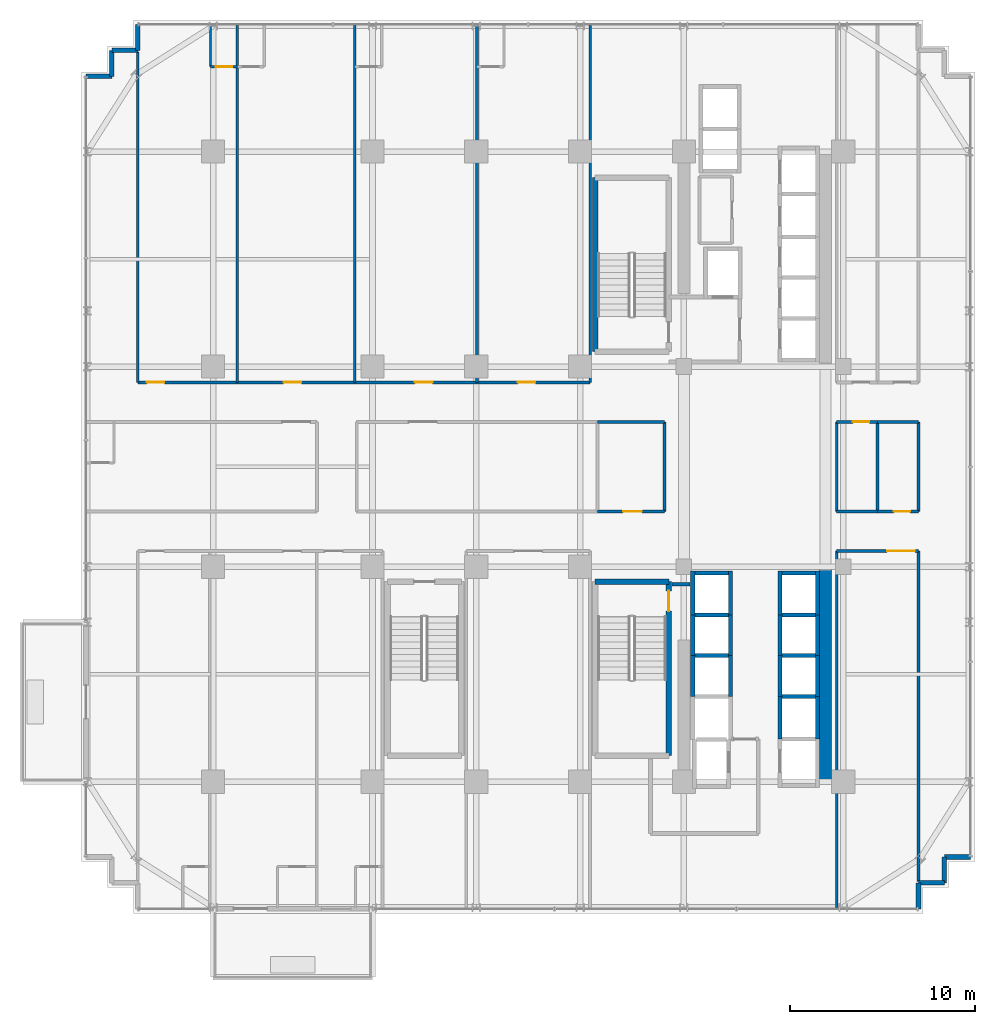
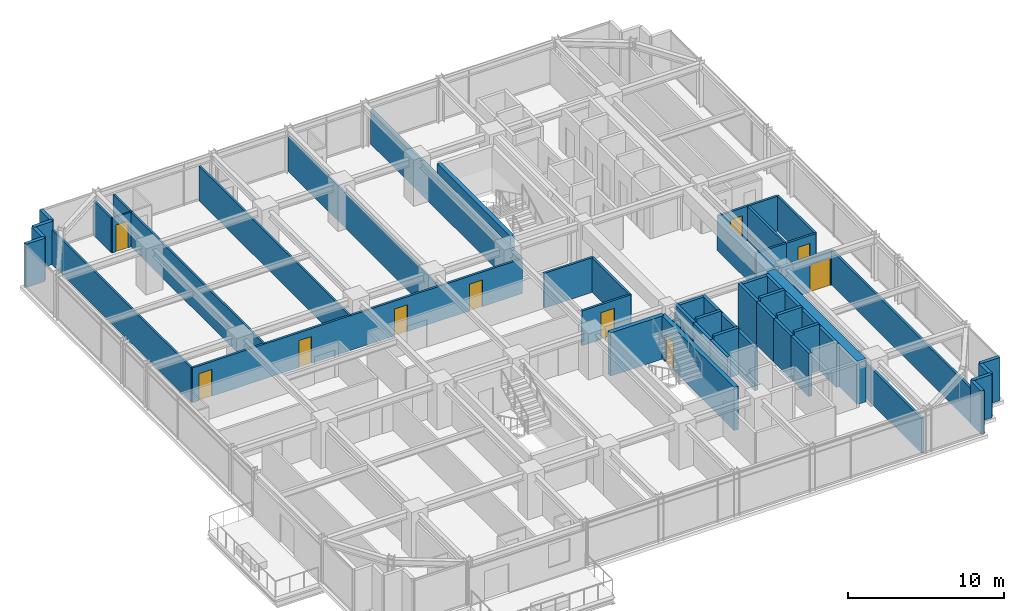
# One storey, part 27 of 32: 55 walls, 10 doors, 10 openings.
"""IFC4 building model written with IfcOpenShell, lengths in metres."""

from ifc_helpers import new_model, si_unit, direction, frame, frame_2d, origin, place, context, subcontext, project, spatial, rectangle, extrude, source, transform, mapped, material, layer, layer_set, type_object, element, fill, save


model = new_model("IFC4")

# Units and contexts
model_context = context("Model", 3, precision=1e-05, world=origin(), true_north=direction((0.0, 1.0)))
body_context = subcontext(model_context, "Body", "Model", "MODEL_VIEW")
ifc_project = project(units=[si_unit("LENGTHUNIT", "METRE"), si_unit("AREAUNIT", "SQUARE_METRE"), si_unit("VOLUMEUNIT", "CUBIC_METRE"), si_unit("PLANEANGLEUNIT", "RADIAN"), si_unit("MASSUNIT", "GRAM", prefix="KILO")], contexts=[model_context])

# Site, building, storey
site_placement = place(None, origin())
site = spatial("IfcSite", under=ifc_project, at=site_placement, CompositionType="ELEMENT")
building_placement = place(site_placement, origin())
building = spatial("IfcBuilding", under=site, at=building_placement, Name="Nahalor Promenade Grand Hotel", CompositionType="ELEMENT")
storey_placement = place(building_placement, frame((0.0, 0.0, 124.800048828125)))
storey = spatial("IfcBuildingStorey", under=building, at=storey_placement, Name="L31", CompositionType="ELEMENT", Elevation=124.800048828125)

# Walls
ifc_material_1 = material(Name="Concrete B-60 (C50/60)", Category="concrete")
ifc_layer_1 = layer(ifc_material_1, 0.64990234375)
ifc_layer_set_1 = layer_set([ifc_layer_1], Name="Concrete B-60 (C50/60)")
wall_type_1 = type_object("IfcWallType", Name="Wall-CoreShear-650", PredefinedType="SHEAR", material=ifc_layer_set_1)
shared_shape_1 = source(origin(), body_context, "Body", "SweptSolid", [
    extrude(rectangle(XDim=11.60009765625, YDim=0.64990234375, at=frame_2d((5.800048828125, 0.0))), origin(), (0.0, 0.0, 1.0), 3.3798828125),
])
wall_1_placement = place(storey_placement, frame((16.050048828125, -17.0, 0.0), z_axis=(0.0, 0.0, 1.0), x_axis=(0.0, 1.0, 0.0)))
element("IfcWall", 1, at=wall_1_placement, inside=storey, type_object=wall_type_1, Name="CWALL-L31-SE", PredefinedType="SHEAR", context=body_context, shape_type="MappedRepresentation", body=[
    mapped(shared_shape_1, transform((0.0, 0.0, 0.0), scale=1.0)),
])
ifc_material_2 = material(Name="Concrete B-50 (C40/50)", Category="concrete")
ifc_layer_2 = layer(ifc_material_2, 0.300048828125)
ifc_layer_set_2 = layer_set([ifc_layer_2], Name="Concrete B-50 (C40/50)")
wall_type_2 = type_object("IfcWallType", Name="Wall-ShaftShear-300", PredefinedType="SHEAR", material=ifc_layer_set_2)
shared_shape_2 = source(origin(), body_context, "Body", "SweptSolid", [
    extrude(rectangle(XDim=3.97998046875, YDim=0.300048828125, at=frame_2d((1.989990234375, 0.0))), origin(), (0.0, 0.0, 1.0), 3.3798828125),
])
wall_2_placement = place(storey_placement, frame((3.610107421875, -6.2099609375, 0.0), z_axis=(0.0, 0.0, 1.0), x_axis=(1.0, 0.0, 0.0)))
element("IfcWall", 2, at=wall_2_placement, inside=storey, type_object=wall_type_2, Name="L31 Exit Stair ST2 Shaft Wall N", PredefinedType="SHEAR", context=body_context, shape_type="MappedRepresentation", body=[
    mapped(shared_shape_2, transform((0.0, 0.0, 0.0), scale=1.0)),
])
shared_shape_3 = source(origin(), body_context, "Body", "SweptSolid", [
    extrude(rectangle(XDim=9.380126953125, YDim=0.300048828125, at=frame_2d((4.68994140625, 0.0))), origin(), (0.0, 0.0, 1.0), 3.3798828125),
])
wall_3_placement = place(storey_placement, frame((3.610107421875, 6.2099609375, 0.0), z_axis=(0.0, 0.0, 1.0), x_axis=(0.0, 1.0, 0.0)))
element("IfcWall", 3, at=wall_3_placement, inside=storey, type_object=wall_type_2, Name="L31 Exit Stair ST1 Shaft Wall W", PredefinedType="SHEAR", context=body_context, shape_type="MappedRepresentation", body=[
    mapped(shared_shape_3, transform((0.0, 0.0, 0.0), scale=1.0)),
])

# Wall, opening, door
wall_4_placement = place(storey_placement, frame((7.590087890625, -15.590087890625, 0.0), z_axis=(0.0, 0.0, 1.0), x_axis=(0.0, 1.0, 0.0)))
wall_4 = element("IfcWall", 4, at=wall_4_placement, inside=storey, type_object=wall_type_2, Name="L31 Exit Stair ST2 Shaft Wall E", PredefinedType="SHEAR", context=body_context, shape_type="MappedRepresentation", body=[
    mapped(shared_shape_3, transform((0.0, 0.0, 0.0), scale=1.0)),
])
opening_1_placement = place(wall_4_placement, frame((7.7900390625, 0.0, 0.0)))
opening_1 = element("IfcOpeningElement", 5, at=opening_1_placement, cuts=wall_4, Name="Opening D-ST1", PredefinedType="OPENING", context=body_context, shape_type="SweptSolid", body=[
    extrude(rectangle(XDim=1.10009765625, YDim=2.14990234375, at=frame_2d((0.550048828125, 1.074951171875))), frame((0.0, 0.159912109375, 0.0), z_axis=(0.0, -1.0, 0.0), x_axis=(1.0, 0.0, 0.0)), (0.0, 0.0, 1.0), 0.320068359375),
])
ifc_material_3 = material(Name="Steel S355JR", Category="steel")
door_type_1 = type_object("IfcDoorType", Name="Door-StairFire-1100", OperationType="NOTDEFINED", PredefinedType="DOOR", material=ifc_material_3)
shared_shape_4 = source(origin(), body_context, "Body", "SweptSolid", [
    extrude(rectangle(XDim=1.10009765625, YDim=2.14990234375, at=frame_2d((0.550048828125, 1.074951171875))), frame((0.0, 0.02490234375, 0.0), z_axis=(0.0, -1.0, 0.0), x_axis=(1.0, 0.0, 0.0)), (0.0, 0.0, 1.0), 0.050048828125),
])
door_1_placement = place(opening_1_placement, origin())
door_1 = element("IfcDoor", 6, at=door_1_placement, inside=storey, type_object=door_type_1, Name="DR-STAIR-ST2-L31", OperationType="SINGLE_SWING_RIGHT", OverallHeight=2.14990234375, OverallWidth=1.10009765625, PredefinedType="DOOR", context=body_context, shape_type="MappedRepresentation", body=[
    mapped(shared_shape_4, transform((0.0, 0.0, 0.0), scale=1.0)),
])
fill(opening_1, door_1)

# Walls
ifc_layer_3 = layer(ifc_material_2, 0.219970703125)
ifc_layer_set_3 = layer_set([ifc_layer_3], Name="Concrete B-50 (C40/50)")
wall_type_3 = type_object("IfcWallType", Name="Wall-LiftShaft-220", PredefinedType="SHEAR", material=ifc_layer_set_3)
shared_shape_5 = source(origin(), body_context, "Body", "SweptSolid", [
    extrude(rectangle(XDim=1.820068359375, YDim=0.219970703125, at=frame_2d((0.91015625, 0.0))), origin(), (0.0, 0.0, 1.0), 3.64990234375),
])
for number, where, z_axis, x_axis, name in (
    (7, (13.68994140625, -8.0, 0.0), (0.0, 0.0, 1.0), (1.0, 0.0, 0.0), "L31 Lift PL6 Hoistway Wall N"),
    (8, (13.68994140625, -10.199951171875, 0.0), (0.0, 0.0, 1.0), (1.0, 0.0, 0.0), "L31 Lift PL7 Hoistway Wall N"),
    (9, (13.68994140625, -12.39990234375, 0.0), (0.0, 0.0, 1.0), (1.0, 0.0, 0.0), "L31 Lift PL8 Hoistway Wall N"),
    (10, (8.989990234375, -8.0, 0.0), (0.0, 0.0, 1.0), (1.0, 0.0, 0.0), "L31 Lift PL10 Hoistway Wall N"),
    (11, (8.989990234375, -10.199951171875, 0.0), (0.0, 0.0, 1.0), (1.0, 0.0, 0.0), "L31 Lift PL11 Hoistway Wall N"),
):
    element("IfcWall", number, at=place(storey_placement, frame(where, z_axis=z_axis, x_axis=x_axis)), inside=storey, type_object=wall_type_3, Name=name, PredefinedType="SHEAR", context=body_context, shape_type="MappedRepresentation", body=[
        mapped(shared_shape_5, transform((0.0, 0.0, 0.0), scale=1.0)),
    ])
shared_shape_6 = source(origin(), body_context, "Body", "SweptSolid", [
    extrude(rectangle(XDim=2.360107421875, YDim=0.219970703125, at=frame_2d((1.18017578125, 0.0))), origin(), (0.0, 0.0, 1.0), 3.3798828125),
])
for number, where, z_axis, x_axis, name in (
    (12, (13.580078125, -8.0, 0.0), (0.0, 0.0, 1.0), (0.0, 1.0, 0.0), "L31 Lift PL5 Hoistway Wall W"),
    (13, (15.6201171875, -8.0, 0.0), (0.0, 0.0, 1.0), (0.0, 1.0, 0.0), "L31 Lift PL5 Hoistway Wall E"),
    (14, (8.8798828125, -8.0, 0.0), (0.0, 0.0, 1.0), (0.0, 1.0, 0.0), "L31 Lift PL9 Hoistway Wall W"),
    (15, (10.919921875, -8.0, 0.0), (0.0, 0.0, 1.0), (0.0, 1.0, 0.0), "L31 Lift PL9 Hoistway Wall E"),
):
    element("IfcWall", number, at=place(storey_placement, frame(where, z_axis=z_axis, x_axis=x_axis)), inside=storey, type_object=wall_type_3, Name=name, PredefinedType="SHEAR", context=body_context, shape_type="MappedRepresentation", body=[
        mapped(shared_shape_6, transform((0.0, 0.0, 0.0), scale=1.0)),
    ])
shared_shape_7 = source(origin(), body_context, "Body", "SweptSolid", [
    extrude(rectangle(XDim=1.820068359375, YDim=0.219970703125, at=frame_2d((0.91015625, 0.0))), origin(), (0.0, 0.0, 1.0), 3.3798828125),
])
for number, where, z_axis, x_axis, name in (
    (16, (13.68994140625, -5.75, 0.0), (0.0, 0.0, 1.0), (1.0, 0.0, 0.0), "L31 Lift PL5 Hoistway Wall N"),
    (17, (8.989990234375, -5.75, 0.0), (0.0, 0.0, 1.0), (1.0, 0.0, 0.0), "L31 Lift PL9 Hoistway Wall N"),
):
    element("IfcWall", number, at=place(storey_placement, frame(where, z_axis=z_axis, x_axis=x_axis)), inside=storey, type_object=wall_type_3, Name=name, PredefinedType="SHEAR", context=body_context, shape_type="MappedRepresentation", body=[
        mapped(shared_shape_7, transform((0.0, 0.0, 0.0), scale=1.0)),
    ])
shared_shape_8 = source(origin(), body_context, "Body", "SweptSolid", [
    extrude(rectangle(XDim=2.199951171875, YDim=0.219970703125, at=frame_2d((1.10009765625, 0.0))), origin(), (0.0, 0.0, 1.0), 3.3798828125),
])
for number, where, z_axis, x_axis, name in (
    (18, (13.580078125, -10.199951171875, 0.0), (0.0, 0.0, 1.0), (0.0, 1.0, 0.0), "L31 Lift PL6 Hoistway Wall W"),
    (19, (15.6201171875, -10.199951171875, 0.0), (0.0, 0.0, 1.0), (0.0, 1.0, 0.0), "L31 Lift PL6 Hoistway Wall E"),
    (20, (13.580078125, -12.39990234375, 0.0), (0.0, 0.0, 1.0), (0.0, 1.0, 0.0), "L31 Lift PL7 Hoistway Wall W"),
    (21, (15.6201171875, -12.39990234375, 0.0), (0.0, 0.0, 1.0), (0.0, 1.0, 0.0), "L31 Lift PL7 Hoistway Wall E"),
    (22, (8.8798828125, -10.199951171875, 0.0), (0.0, 0.0, 1.0), (0.0, 1.0, 0.0), "L31 Lift PL10 Hoistway Wall W"),
    (23, (10.919921875, -10.199951171875, 0.0), (0.0, 0.0, 1.0), (0.0, 1.0, 0.0), "L31 Lift PL10 Hoistway Wall E"),
    (24, (8.8798828125, -12.39990234375, 0.0), (0.0, 0.0, 1.0), (0.0, 1.0, 0.0), "L31 Lift PL11 Hoistway Wall W"),
    (25, (10.919921875, -12.39990234375, 0.0), (0.0, 0.0, 1.0), (0.0, 1.0, 0.0), "L31 Lift PL11 Hoistway Wall E"),
):
    element("IfcWall", number, at=place(storey_placement, frame(where, z_axis=z_axis, x_axis=x_axis)), inside=storey, type_object=wall_type_3, Name=name, PredefinedType="SHEAR", context=body_context, shape_type="MappedRepresentation", body=[
        mapped(shared_shape_8, transform((0.0, 0.0, 0.0), scale=1.0)),
    ])
shared_shape_9 = source(origin(), body_context, "Body", "SweptSolid", [
    extrude(rectangle(XDim=2.300048828125, YDim=0.219970703125, at=frame_2d((1.14990234375, 0.0))), origin(), (0.0, 0.0, 1.0), 3.3798828125),
])
for number, where, z_axis, x_axis, name in (
    (26, (13.580078125, -14.699951171875, 0.0), (0.0, 0.0, 1.0), (0.0, 1.0, 0.0), "L31 Lift PL8 Hoistway Wall W"),
    (27, (15.6201171875, -14.699951171875, 0.0), (0.0, 0.0, 1.0), (0.0, 1.0, 0.0), "L31 Lift PL8 Hoistway Wall E"),
):
    element("IfcWall", number, at=place(storey_placement, frame(where, z_axis=z_axis, x_axis=x_axis)), inside=storey, type_object=wall_type_3, Name=name, PredefinedType="SHEAR", context=body_context, shape_type="MappedRepresentation", body=[
        mapped(shared_shape_9, transform((0.0, 0.0, 0.0), scale=1.0)),
    ])
ifc_material_4 = material(Name="Concrete B-40 (C32/40)", Category="concrete")
ifc_layer_4 = layer(ifc_material_4, 0.25)
ifc_layer_set_4 = layer_set([ifc_layer_4], Name="Concrete B-40 (C32/40)")
wall_type_4 = type_object("IfcWallType", Name="Wall-BronzePier-250", PredefinedType="STANDARD", material=ifc_layer_set_4)
shared_shape_10 = source(origin(), body_context, "Body", "SweptSolid", [
    extrude(rectangle(XDim=1.400146484375, YDim=0.25, at=frame_2d((0.7001953125, 0.0))), origin(), (0.0, 0.0, 1.0), 3.3798828125),
])
for number, where, z_axis, x_axis, name in (
    (28, (21.06005859375, -23.860107421875, 0.0), (0.0, 0.0, 1.0), (0.0, 1.0, 0.0), "W-L31-SR-01"),
    (29, (22.4599609375, -21.06005859375, 0.0), (0.0, 0.0, 1.0), (1.0, 0.0, 0.0), "W-L31-SR-04"),
    (30, (-21.06005859375, 22.4599609375, 0.0), (0.0, 0.0, 1.0), (0.0, 1.0, 0.0), "W-L31-SR-09"),
    (31, (-23.860107421875, 21.06005859375, 0.0), (0.0, 0.0, 1.0), (1.0, 0.0, 0.0), "W-L31-SR-12"),
):
    element("IfcWall", number, at=place(storey_placement, frame(where, z_axis=z_axis, x_axis=x_axis)), inside=storey, type_object=wall_type_4, Name=name, PredefinedType="STANDARD", context=body_context, shape_type="MappedRepresentation", body=[
        mapped(shared_shape_10, transform((0.0, 0.0, 0.0), scale=1.0)),
    ])
shared_shape_11 = source(origin(), body_context, "Body", "SweptSolid", [
    extrude(rectangle(XDim=1.39990234375, YDim=0.25, at=frame_2d((0.699951171875, 0.0))), origin(), (0.0, 0.0, 1.0), 3.3798828125),
])
for number, where, z_axis, x_axis, name in (
    (32, (21.06005859375, -22.4599609375, 0.0), (0.0, 0.0, 1.0), (1.0, 0.0, 0.0), "W-L31-SR-02"),
    (33, (22.4599609375, -22.4599609375, 0.0), (0.0, 0.0, 1.0), (0.0, 1.0, 0.0), "W-L31-SR-03"),
    (34, (-22.4599609375, 22.4599609375, 0.0), (0.0, 0.0, 1.0), (1.0, 0.0, 0.0), "W-L31-SR-10"),
    (35, (-22.4599609375, 21.06005859375, 0.0), (0.0, 0.0, 1.0), (0.0, 1.0, 0.0), "W-L31-SR-11"),
):
    element("IfcWall", number, at=place(storey_placement, frame(where, z_axis=z_axis, x_axis=x_axis)), inside=storey, type_object=wall_type_4, Name=name, PredefinedType="STANDARD", context=body_context, shape_type="MappedRepresentation", body=[
        mapped(shared_shape_11, transform((0.0, 0.0, 0.0), scale=1.0)),
    ])
ifc_layer_5 = layer(ifc_material_4, 0.199951171875)
ifc_layer_set_5 = layer_set([ifc_layer_5], Name="Concrete B-40 (C32/40)")
wall_type_5 = type_object("IfcWallType", Name="Wall-PartFire-200", PredefinedType="PARTITIONING", material=ifc_layer_set_5)
shared_shape_12 = source(origin(), body_context, "Body", "SweptSolid", [
    extrude(rectangle(XDim=0.969970703125, YDim=0.199951171875, at=frame_2d((0.48486328125, 0.0))), origin(), (0.0, 0.0, 1.0), 2.719970703125),
])
wall_5_placement = place(storey_placement, frame((7.77001953125, -6.35009765625, 0.0), z_axis=(0.0, 0.0, 1.0), x_axis=(1.0, 0.0, 0.0)))
element("IfcWall", 36, at=wall_5_placement, inside=storey, type_object=wall_type_5, Name="W-L31-FF2-N2", PredefinedType="PARTITIONING", context=body_context, shape_type="MappedRepresentation", body=[
    mapped(shared_shape_12, transform((0.0, 0.0, 0.0), scale=1.0)),
])

# Wall, opening, door
ifc_material_5 = material(Name="Acoustic Mineral Gypsum", Category="gypsum")
ifc_layer_6 = layer(ifc_material_5, 0.159912109375)
ifc_layer_set_6 = layer_set([ifc_layer_6], Name="Acoustic Mineral Gypsum")
wall_type_6 = type_object("IfcWallType", Name="Wall-PartCorridor-160", PredefinedType="PARTITIONING", material=ifc_layer_set_6)
shared_shape_13 = source(origin(), body_context, "Body", "SweptSolid", [
    extrude(rectangle(XDim=4.41015625, YDim=0.159912109375, at=frame_2d((2.205078125, 0.0))), origin(), (0.0, 0.0, 1.0), 2.719970703125),
])
wall_6_placement = place(storey_placement, frame((16.64990234375, -4.550048828125, 0.0), z_axis=(0.0, 0.0, 1.0), x_axis=(1.0, 0.0, 0.0)))
wall_6 = element("IfcWall", 37, at=wall_6_placement, inside=storey, type_object=wall_type_6, Name="W-L31-ESE-N", PredefinedType="PARTITIONING", context=body_context, shape_type="MappedRepresentation", body=[
    mapped(shared_shape_13, transform((0.0, 0.0, 0.0), scale=1.0)),
])
opening_2_placement = place(wall_6_placement, frame((2.721923828125, 0.0, 0.0)))
opening_2 = element("IfcOpeningElement", 38, at=opening_2_placement, cuts=wall_6, Name="Opening D-02", PredefinedType="OPENING", context=body_context, shape_type="SweptSolid", body=[
    extrude(rectangle(XDim=1.5, YDim=2.14990234375, at=frame_2d((0.75, 1.074951171875))), frame((0.0, 0.08984375, 0.0), z_axis=(0.0, -1.0, 0.0), x_axis=(1.0, 0.0, 0.0)), (0.0, 0.0, 1.0), 0.179931640625),
])
ifc_material_6 = material(Name="Fire-Rated Timber Composite", Category="wood")
door_type_2 = type_object("IfcDoorType", Name="Door-SuiteDouble-1500", OperationType="DOUBLE_DOOR_SINGLE_SWING", PredefinedType="DOOR", material=ifc_material_6)
shared_shape_14 = source(origin(), body_context, "Body", "SweptSolid", [
    extrude(rectangle(XDim=1.5, YDim=2.14990234375, at=frame_2d((0.75, 1.074951171875))), frame((0.0, 0.02490234375, 0.0), z_axis=(0.0, -1.0, 0.0), x_axis=(1.0, 0.0, 0.0)), (0.0, 0.0, 1.0), 0.050048828125),
])
door_2_placement = place(opening_2_placement, frame((1.5, 0.0, 0.0), z_axis=(0.0, 0.0, 1.0), x_axis=(-1.0, 0.0, 0.0)))
door_2 = element("IfcDoor", 39, at=door_2_placement, inside=storey, type_object=door_type_2, Name="DR-L31-ESE", OperationType="DOUBLE_DOOR_SINGLE_SWING", OverallHeight=2.14990234375, OverallWidth=1.5, PredefinedType="DOOR", context=body_context, shape_type="MappedRepresentation", body=[
    mapped(shared_shape_14, transform((0.0, 0.0, 0.0), scale=1.0)),
])
fill(opening_2, door_2)

# Walls
shared_shape_15 = source(origin(), body_context, "Body", "SweptSolid", [
    extrude(rectangle(XDim=19.25, YDim=0.159912109375, at=frame_2d((9.625, 0.0))), origin(), (0.0, 0.0, 1.0), 2.719970703125),
])
wall_7_placement = place(storey_placement, frame((16.64990234375, -23.800048828125, 0.0), z_axis=(0.0, 0.0, 1.0), x_axis=(0.0, 1.0, 0.0)))
element("IfcWall", 40, at=wall_7_placement, inside=storey, type_object=wall_type_6, Name="W-L31-ESE-W", PredefinedType="PARTITIONING", context=body_context, shape_type="MappedRepresentation", body=[
    mapped(shared_shape_15, transform((0.0, 0.0, 0.0), scale=1.0)),
])
shared_shape_16 = source(origin(), body_context, "Body", "SweptSolid", [
    extrude(rectangle(XDim=17.829833984375, YDim=0.159912109375, at=frame_2d((8.9150390625, 0.0))), origin(), (0.0, 0.0, 1.0), 2.719970703125),
])
wall_8_placement = place(storey_placement, frame((21.06005859375, -22.3798828125, 0.0), z_axis=(0.0, 0.0, 1.0), x_axis=(0.0, 1.0, 0.0)))
element("IfcWall", 41, at=wall_8_placement, inside=storey, type_object=wall_type_6, Name="W-L31-ESE-E", PredefinedType="PARTITIONING", context=body_context, shape_type="MappedRepresentation", body=[
    mapped(shared_shape_16, transform((0.0, 0.0, 0.0), scale=1.0)),
])

# Wall, openings, doors
shared_shape_17 = source(origin(), body_context, "Body", "SweptSolid", [
    extrude(rectangle(XDim=24.400146484375, YDim=0.159912109375, at=frame_2d((12.2001953125, 0.0))), origin(), (0.0, 0.0, 1.0), 2.719970703125),
])
wall_9_placement = place(storey_placement, frame((-21.06005859375, 4.550048828125, 0.0), z_axis=(0.0, 0.0, 1.0), x_axis=(1.0, 0.0, 0.0)))
wall_9 = element("IfcWall", 42, at=wall_9_placement, inside=storey, type_object=wall_type_6, Name="W-L31-CORR-N", PredefinedType="PARTITIONING", context=body_context, shape_type="MappedRepresentation", body=[
    mapped(shared_shape_17, transform((0.0, 0.0, 0.0), scale=1.0)),
])
opening_3_placement = place(wall_9_placement, frame((0.48291015625, 0.0, 0.0)))
opening_3 = element("IfcOpeningElement", 43, at=opening_3_placement, cuts=wall_9, Name="Opening D-01", PredefinedType="OPENING", context=body_context, shape_type="SweptSolid", body=[
    extrude(rectangle(XDim=0.949951171875, YDim=2.10009765625, at=frame_2d((0.47509765625, 1.050048828125))), frame((0.0, 0.08984375, 0.0), z_axis=(0.0, -1.0, 0.0), x_axis=(1.0, 0.0, 0.0)), (0.0, 0.0, 1.0), 0.179931640625),
])
opening_4_placement = place(wall_9_placement, frame((7.865966796875, 0.0, 0.0)))
opening_4 = element("IfcOpeningElement", 44, at=opening_4_placement, cuts=wall_9, Name="Opening D-01", PredefinedType="OPENING", context=body_context, shape_type="SweptSolid", body=[
    extrude(rectangle(XDim=0.949951171875, YDim=2.10009765625, at=frame_2d((0.47509765625, 1.050048828125))), frame((0.0, 0.08984375, 0.0), z_axis=(0.0, -1.0, 0.0), x_axis=(1.0, 0.0, 0.0)), (0.0, 0.0, 1.0), 0.179931640625),
])
opening_5_placement = place(wall_9_placement, frame((14.950927734375, 0.0, 0.0)))
opening_5 = element("IfcOpeningElement", 45, at=opening_5_placement, cuts=wall_9, Name="Opening D-01", PredefinedType="OPENING", context=body_context, shape_type="SweptSolid", body=[
    extrude(rectangle(XDim=0.949951171875, YDim=2.10009765625, at=frame_2d((0.47509765625, 1.050048828125))), frame((0.0, 0.08984375, 0.0), z_axis=(0.0, -1.0, 0.0), x_axis=(1.0, 0.0, 0.0)), (0.0, 0.0, 1.0), 0.179931640625),
])
opening_6_placement = place(wall_9_placement, frame((20.498046875, 0.0, 0.0)))
opening_6 = element("IfcOpeningElement", 46, at=opening_6_placement, cuts=wall_9, Name="Opening D-01", PredefinedType="OPENING", context=body_context, shape_type="SweptSolid", body=[
    extrude(rectangle(XDim=0.949951171875, YDim=2.10009765625, at=frame_2d((0.47509765625, 1.050048828125))), frame((0.0, 0.08984375, 0.0), z_axis=(0.0, -1.0, 0.0), x_axis=(1.0, 0.0, 0.0)), (0.0, 0.0, 1.0), 0.179931640625),
])
door_type_3 = type_object("IfcDoorType", Name="Door-GuestEntry-950", OperationType="NOTDEFINED", PredefinedType="DOOR", material=ifc_material_6)
shared_shape_18 = source(origin(), body_context, "Body", "SweptSolid", [
    extrude(rectangle(XDim=0.949951171875, YDim=2.10009765625, at=frame_2d((0.47509765625, 1.050048828125))), frame((0.0, 0.02490234375, 0.0), z_axis=(0.0, -1.0, 0.0), x_axis=(1.0, 0.0, 0.0)), (0.0, 0.0, 1.0), 0.050048828125),
])
door_3_placement = place(opening_3_placement, origin())
door_3 = element("IfcDoor", 47, at=door_3_placement, inside=storey, type_object=door_type_3, Name="DR-L31-N1-ENT", OperationType="SINGLE_SWING_LEFT", OverallHeight=2.10009765625, OverallWidth=0.949951171875, PredefinedType="DOOR", context=body_context, shape_type="MappedRepresentation", body=[
    mapped(shared_shape_18, transform((0.0, 0.0, 0.0), scale=1.0)),
])
fill(opening_3, door_3)
door_4_placement = place(opening_4_placement, origin())
door_4 = element("IfcDoor", 48, at=door_4_placement, inside=storey, type_object=door_type_3, Name="DR-L31-N2-ENT", OperationType="SINGLE_SWING_LEFT", OverallHeight=2.10009765625, OverallWidth=0.949951171875, PredefinedType="DOOR", context=body_context, shape_type="MappedRepresentation", body=[
    mapped(shared_shape_18, transform((0.0, 0.0, 0.0), scale=1.0)),
])
fill(opening_4, door_4)
door_5_placement = place(opening_5_placement, origin())
door_5 = element("IfcDoor", 49, at=door_5_placement, inside=storey, type_object=door_type_3, Name="DR-L31-N3-ENT", OperationType="SINGLE_SWING_LEFT", OverallHeight=2.10009765625, OverallWidth=0.949951171875, PredefinedType="DOOR", context=body_context, shape_type="MappedRepresentation", body=[
    mapped(shared_shape_18, transform((0.0, 0.0, 0.0), scale=1.0)),
])
fill(opening_5, door_5)
door_6_placement = place(opening_6_placement, origin())
door_6 = element("IfcDoor", 50, at=door_6_placement, inside=storey, type_object=door_type_3, Name="DR-L31-N4-ENT", OperationType="SINGLE_SWING_LEFT", OverallHeight=2.10009765625, OverallWidth=0.949951171875, PredefinedType="DOOR", context=body_context, shape_type="MappedRepresentation", body=[
    mapped(shared_shape_18, transform((0.0, 0.0, 0.0), scale=1.0)),
])
fill(opening_6, door_6)

# Walls
ifc_layer_7 = layer(ifc_material_5, 0.139892578125)
ifc_layer_set_7 = layer_set([ifc_layer_7], Name="Acoustic Mineral Gypsum")
wall_type_7 = type_object("IfcWallType", Name="Wall-PartSuite-140", PredefinedType="PARTITIONING", material=ifc_layer_set_7)
shared_shape_19 = source(origin(), body_context, "Body", "SweptSolid", [
    extrude(rectangle(XDim=17.829833984375, YDim=0.139892578125, at=frame_2d((8.9150390625, 0.0))), origin(), (0.0, 0.0, 1.0), 2.719970703125),
])
wall_10_placement = place(storey_placement, frame((-21.06005859375, 4.550048828125, 0.0), z_axis=(0.0, 0.0, 1.0), x_axis=(0.0, 1.0, 0.0)))
element("IfcWall", 51, at=wall_10_placement, inside=storey, type_object=wall_type_7, Name="W-L31-NW-ENDW", PredefinedType="PARTITIONING", context=body_context, shape_type="MappedRepresentation", body=[
    mapped(shared_shape_19, transform((0.0, 0.0, 0.0), scale=1.0)),
])
shared_shape_20 = source(origin(), body_context, "Body", "SweptSolid", [
    extrude(rectangle(XDim=19.25, YDim=0.139892578125, at=frame_2d((9.625, 0.0))), origin(), (0.0, 0.0, 1.0), 2.719970703125),
])
for number, where, z_axis, x_axis, name in (
    (52, (3.340087890625, 4.550048828125, 0.0), (0.0, 0.0, 1.0), (0.0, 1.0, 0.0), "W-L31-NW-ENDE"),
    (53, (-15.69189453125, 4.550048828125, 0.0), (0.0, 0.0, 1.0), (0.0, 1.0, 0.0), "W-L31-NP-1"),
    (54, (-9.347900390625, 4.550048828125, 0.0), (0.0, 0.0, 1.0), (0.0, 1.0, 0.0), "W-L31-NP-2"),
    (55, (-2.760009765625, 4.550048828125, 0.0), (0.0, 0.0, 1.0), (0.0, 1.0, 0.0), "W-L31-NP-3"),
):
    element("IfcWall", number, at=place(storey_placement, frame(where, z_axis=z_axis, x_axis=x_axis)), inside=storey, type_object=wall_type_7, Name=name, PredefinedType="PARTITIONING", context=body_context, shape_type="MappedRepresentation", body=[
        mapped(shared_shape_20, transform((0.0, 0.0, 0.0), scale=1.0)),
    ])

# Wall, opening, door
ifc_layer_8 = layer(ifc_material_5, 0.1201171875)
ifc_layer_set_8 = layer_set([ifc_layer_8], Name="Acoustic Mineral Gypsum")
wall_type_8 = type_object("IfcWallType", Name="Wall-PartBath-120", PredefinedType="PARTITIONING", material=ifc_layer_set_8)
shared_shape_21 = source(origin(), body_context, "Body", "SweptSolid", [
    extrude(rectangle(XDim=1.4501953125, YDim=0.1201171875, at=frame_2d((0.72509765625, 0.0))), origin(), (0.0, 0.0, 1.0), 2.719970703125),
])
wall_11_placement = place(storey_placement, frame((-17.14208984375, 21.580078125, 0.0), z_axis=(0.0, 0.0, 1.0), x_axis=(1.0, 0.0, 0.0)))
wall_11 = element("IfcWall", 56, at=wall_11_placement, inside=storey, type_object=wall_type_8, Name="W-L31-N1-BH", PredefinedType="PARTITIONING", context=body_context, shape_type="MappedRepresentation", body=[
    mapped(shared_shape_21, transform((0.0, 0.0, 0.0), scale=1.0)),
])
opening_7_placement = place(wall_11_placement, frame((0.284912109375, 0.0, 0.0)))
opening_7 = element("IfcOpeningElement", 57, at=opening_7_placement, cuts=wall_11, Name="Opening D-03", PredefinedType="OPENING", context=body_context, shape_type="SweptSolid", body=[
    extrude(rectangle(XDim=0.8798828125, YDim=2.10009765625, at=frame_2d((0.43994140625, 1.050048828125))), frame((0.0, 0.070068359375, 0.0), z_axis=(0.0, -1.0, 0.0), x_axis=(1.0, 0.0, 0.0)), (0.0, 0.0, 1.0), 0.14013671875),
])
door_type_4 = type_object("IfcDoorType", Name="Door-BathSwing-880", OperationType="NOTDEFINED", PredefinedType="DOOR", material=ifc_material_6)
shared_shape_22 = source(origin(), body_context, "Body", "SweptSolid", [
    extrude(rectangle(XDim=0.8798828125, YDim=2.10009765625, at=frame_2d((0.43994140625, 1.050048828125))), frame((0.0, 0.02490234375, 0.0), z_axis=(0.0, -1.0, 0.0), x_axis=(1.0, 0.0, 0.0)), (0.0, 0.0, 1.0), 0.050048828125),
])
door_7_placement = place(opening_7_placement, origin())
door_7 = element("IfcDoor", 58, at=door_7_placement, inside=storey, type_object=door_type_4, Name="DR-L31-N1-BATH", OperationType="SINGLE_SWING_RIGHT", OverallHeight=2.10009765625, OverallWidth=0.8798828125, PredefinedType="DOOR", context=body_context, shape_type="MappedRepresentation", body=[
    mapped(shared_shape_22, transform((0.0, 0.0, 0.0), scale=1.0)),
])
fill(opening_7, door_7)

# Walls
shared_shape_23 = source(origin(), body_context, "Body", "SweptSolid", [
    extrude(rectangle(XDim=2.219970703125, YDim=0.1201171875, at=frame_2d((1.10986328125, 0.0))), origin(), (0.0, 0.0, 1.0), 2.719970703125),
])
wall_12_placement = place(storey_placement, frame((-17.14208984375, 21.580078125, 0.0), z_axis=(0.0, 0.0, 1.0), x_axis=(0.0, 1.0, 0.0)))
element("IfcWall", 59, at=wall_12_placement, inside=storey, type_object=wall_type_8, Name="W-L31-N1-BV", PredefinedType="PARTITIONING", context=body_context, shape_type="MappedRepresentation", body=[
    mapped(shared_shape_23, transform((0.0, 0.0, 0.0), scale=1.0)),
])
shared_shape_24 = source(origin(), body_context, "Body", "SweptSolid", [
    extrude(rectangle(XDim=4.83984375, YDim=0.159912109375, at=frame_2d((2.419921875, 0.0))), origin(), (0.0, 0.0, 1.0), 2.719970703125),
])
for number, where, z_axis, x_axis, name in (
    (60, (7.35009765625, -2.419921875, 0.0), (0.0, 0.0, 1.0), (0.0, 1.0, 0.0), "W-L31-CM2-E"),
    (61, (16.64990234375, -2.419921875, 0.0), (0.0, 0.0, 1.0), (0.0, 1.0, 0.0), "W-L31-ECW1-W"),
    (62, (18.85498046875, -2.419921875, 0.0), (0.0, 0.0, 1.0), (0.0, 1.0, 0.0), "W-L31-ECW1-E"),
    (63, (21.06005859375, -2.419921875, 0.0), (0.0, 0.0, 1.0), (0.0, 1.0, 0.0), "W-L31-ECW2-E"),
):
    element("IfcWall", number, at=place(storey_placement, frame(where, z_axis=z_axis, x_axis=x_axis)), inside=storey, type_object=wall_type_6, Name=name, PredefinedType="PARTITIONING", context=body_context, shape_type="MappedRepresentation", body=[
        mapped(shared_shape_24, transform((0.0, 0.0, 0.0), scale=1.0)),
    ])
shared_shape_25 = source(origin(), body_context, "Body", "SweptSolid", [
    extrude(rectangle(XDim=2.205078125, YDim=0.159912109375, at=frame_2d((1.1025390625, 0.0))), origin(), (0.0, 0.0, 1.0), 2.719970703125),
])
wall_13_placement = place(storey_placement, frame((16.64990234375, -2.419921875, 0.0), z_axis=(0.0, 0.0, 1.0), x_axis=(1.0, 0.0, 0.0)))
element("IfcWall", 64, at=wall_13_placement, inside=storey, type_object=wall_type_6, Name="W-L31-ECW1-S", PredefinedType="PARTITIONING", context=body_context, shape_type="MappedRepresentation", body=[
    mapped(shared_shape_25, transform((0.0, 0.0, 0.0), scale=1.0)),
])

# Wall, opening, door
wall_14_placement = place(storey_placement, frame((16.64990234375, 2.419921875, 0.0), z_axis=(0.0, 0.0, 1.0), x_axis=(1.0, 0.0, 0.0)))
wall_14 = element("IfcWall", 65, at=wall_14_placement, inside=storey, type_object=wall_type_6, Name="W-L31-ECW1-N", PredefinedType="PARTITIONING", context=body_context, shape_type="MappedRepresentation", body=[
    mapped(shared_shape_25, transform((0.0, 0.0, 0.0), scale=1.0)),
])
opening_8_placement = place(wall_14_placement, frame((0.875, 0.0, 0.0)))
opening_8 = element("IfcOpeningElement", 66, at=opening_8_placement, cuts=wall_14, Name="Opening D-03", PredefinedType="OPENING", context=body_context, shape_type="SweptSolid", body=[
    extrude(rectangle(XDim=0.8798828125, YDim=2.10009765625, at=frame_2d((0.43994140625, 1.050048828125))), frame((0.0, 0.08984375, 0.0), z_axis=(0.0, -1.0, 0.0), x_axis=(1.0, 0.0, 0.0)), (0.0, 0.0, 1.0), 0.179931640625),
])
door_8_placement = place(opening_8_placement, frame((0.8798828125, 0.0, 0.0), z_axis=(0.0, 0.0, 1.0), x_axis=(-1.0, 0.0, 0.0)))
door_8 = element("IfcDoor", 67, at=door_8_placement, inside=storey, type_object=door_type_4, Name="DR-L31-ECW1", OperationType="SINGLE_SWING_RIGHT", OverallHeight=2.10009765625, OverallWidth=0.8798828125, PredefinedType="DOOR", context=body_context, shape_type="MappedRepresentation", body=[
    mapped(shared_shape_22, transform((0.0, 0.0, 0.0), scale=1.0)),
])
fill(opening_8, door_8)

wall_15_placement = place(storey_placement, frame((18.85498046875, -2.419921875, 0.0), z_axis=(0.0, 0.0, 1.0), x_axis=(1.0, 0.0, 0.0)))
wall_15 = element("IfcWall", 68, at=wall_15_placement, inside=storey, type_object=wall_type_6, Name="W-L31-ECW2-S", PredefinedType="PARTITIONING", context=body_context, shape_type="MappedRepresentation", body=[
    mapped(shared_shape_25, transform((0.0, 0.0, 0.0), scale=1.0)),
])
opening_9_placement = place(wall_15_placement, frame((0.875, 0.0, 0.0)))
opening_9 = element("IfcOpeningElement", 69, at=opening_9_placement, cuts=wall_15, Name="Opening D-03", PredefinedType="OPENING", context=body_context, shape_type="SweptSolid", body=[
    extrude(rectangle(XDim=0.8798828125, YDim=2.10009765625, at=frame_2d((0.43994140625, 1.050048828125))), frame((0.0, 0.08984375, 0.0), z_axis=(0.0, -1.0, 0.0), x_axis=(1.0, 0.0, 0.0)), (0.0, 0.0, 1.0), 0.179931640625),
])
door_9_placement = place(opening_9_placement, origin())
door_9 = element("IfcDoor", 70, at=door_9_placement, inside=storey, type_object=door_type_4, Name="DR-L31-ECW2", OperationType="SINGLE_SWING_LEFT", OverallHeight=2.10009765625, OverallWidth=0.8798828125, PredefinedType="DOOR", context=body_context, shape_type="MappedRepresentation", body=[
    mapped(shared_shape_22, transform((0.0, 0.0, 0.0), scale=1.0)),
])
fill(opening_9, door_9)

# Wall
wall_16_placement = place(storey_placement, frame((18.85498046875, 2.419921875, 0.0), z_axis=(0.0, 0.0, 1.0), x_axis=(1.0, 0.0, 0.0)))
element("IfcWall", 71, at=wall_16_placement, inside=storey, type_object=wall_type_6, Name="W-L31-ECW2-N", PredefinedType="PARTITIONING", context=body_context, shape_type="MappedRepresentation", body=[
    mapped(shared_shape_25, transform((0.0, 0.0, 0.0), scale=1.0)),
])

# Wall, opening, door
shared_shape_26 = source(origin(), body_context, "Body", "SweptSolid", [
    extrude(rectangle(XDim=3.60009765625, YDim=0.159912109375, at=frame_2d((1.800048828125, 0.0))), origin(), (0.0, 0.0, 1.0), 2.719970703125),
])
wall_17_placement = place(storey_placement, frame((3.75, -2.419921875, 0.0), z_axis=(0.0, 0.0, 1.0), x_axis=(1.0, 0.0, 0.0)))
wall_17 = element("IfcWall", 72, at=wall_17_placement, inside=storey, type_object=wall_type_6, Name="W-L31-CM2-S", PredefinedType="PARTITIONING", context=body_context, shape_type="MappedRepresentation", body=[
    mapped(shared_shape_26, transform((0.0, 0.0, 0.0), scale=1.0)),
])
opening_10_placement = place(wall_17_placement, frame((1.3798828125, 0.0, 0.0)))
opening_10 = element("IfcOpeningElement", 73, at=opening_10_placement, cuts=wall_17, Name="Opening D-04", PredefinedType="OPENING", context=body_context, shape_type="SweptSolid", body=[
    extrude(rectangle(XDim=1.0, YDim=2.10009765625, at=frame_2d((0.5, 1.050048828125))), frame((0.0, 0.08984375, 0.0), z_axis=(0.0, -1.0, 0.0), x_axis=(1.0, 0.0, 0.0)), (0.0, 0.0, 1.0), 0.179931640625),
])
door_type_5 = type_object("IfcDoorType", Name="Door-ServiceFire-1000", OperationType="NOTDEFINED", PredefinedType="DOOR", material=ifc_material_3)
shared_shape_27 = source(origin(), body_context, "Body", "SweptSolid", [
    extrude(rectangle(XDim=1.0, YDim=2.10009765625, at=frame_2d((0.5, 1.050048828125))), frame((0.0, 0.02490234375, 0.0), z_axis=(0.0, -1.0, 0.0), x_axis=(1.0, 0.0, 0.0)), (0.0, 0.0, 1.0), 0.050048828125),
])
door_10_placement = place(opening_10_placement, origin())
door_10 = element("IfcDoor", 74, at=door_10_placement, inside=storey, type_object=door_type_5, Name="DR-L31-CM2", OperationType="SINGLE_SWING_LEFT", OverallHeight=2.10009765625, OverallWidth=1.0, PredefinedType="DOOR", context=body_context, shape_type="MappedRepresentation", body=[
    mapped(shared_shape_27, transform((0.0, 0.0, 0.0), scale=1.0)),
])
fill(opening_10, door_10)

# Wall
wall_18_placement = place(storey_placement, frame((3.75, 2.419921875, 0.0), z_axis=(0.0, 0.0, 1.0), x_axis=(1.0, 0.0, 0.0)))
element("IfcWall", 75, at=wall_18_placement, inside=storey, type_object=wall_type_6, Name="W-L31-CM2-N", PredefinedType="PARTITIONING", context=body_context, shape_type="MappedRepresentation", body=[
    mapped(shared_shape_26, transform((0.0, 0.0, 0.0), scale=1.0)),
])

save(model, "model.ifc")
